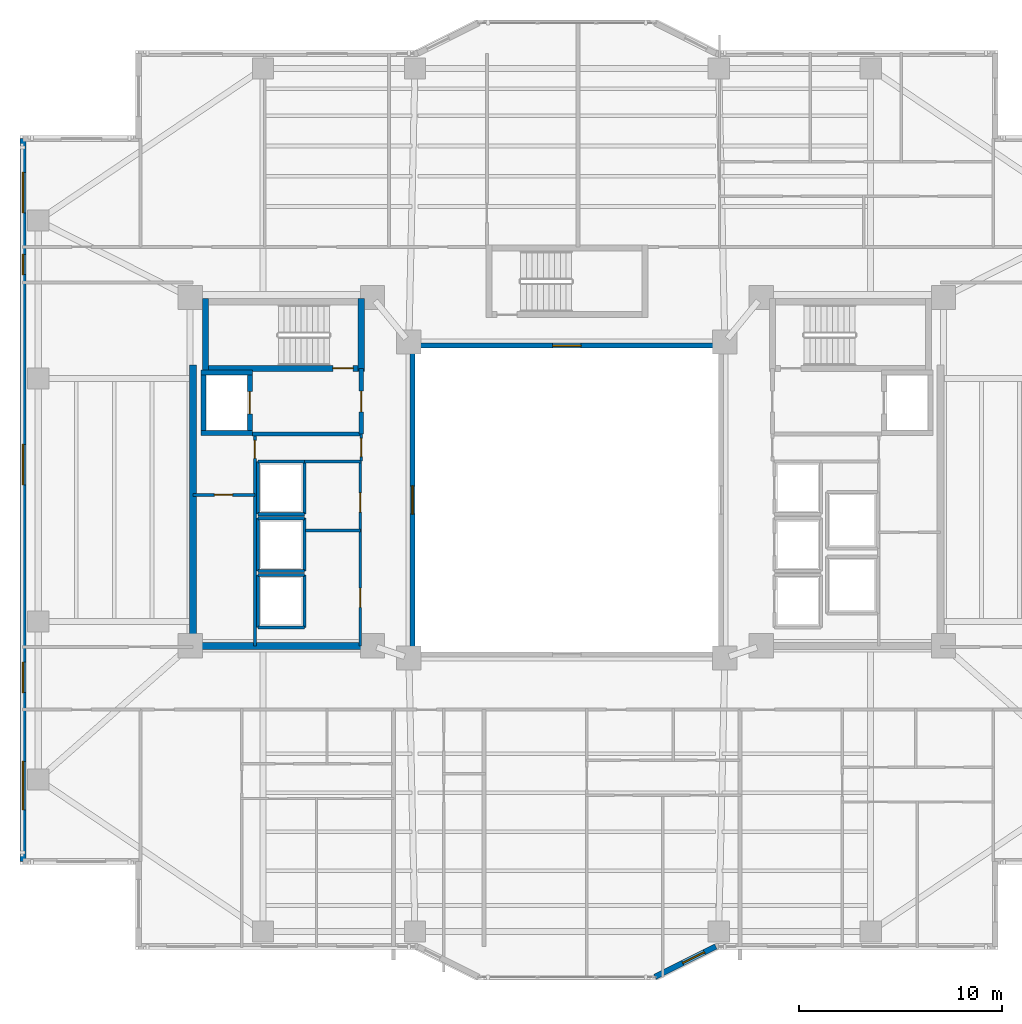
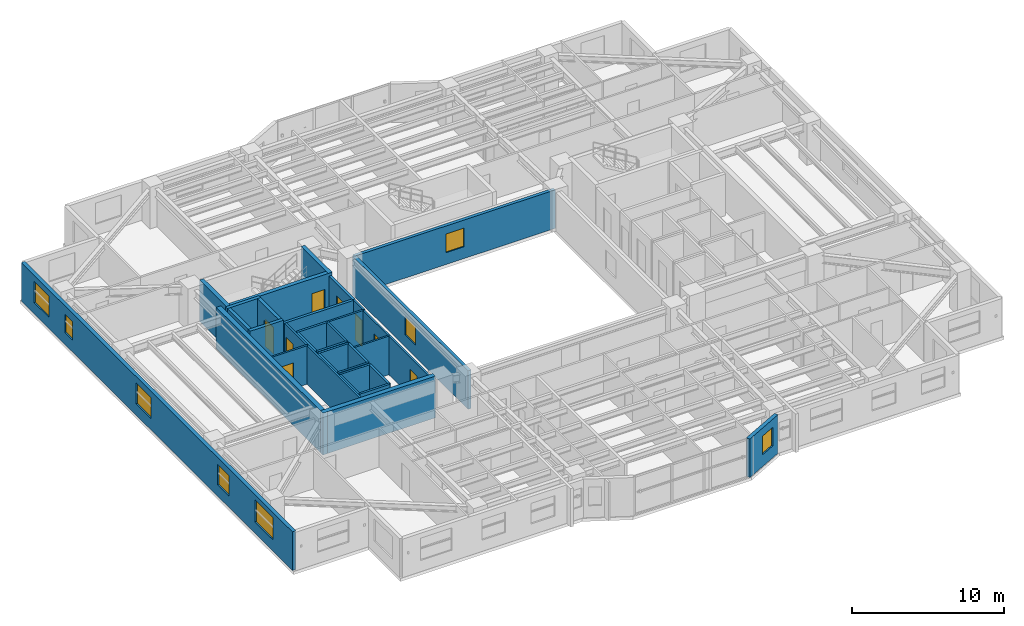
# One storey, part 7 of 18: 33 walls, 8 doors, 8 windows, 16 openings.
"""IFC4 building model written with IfcOpenShell, lengths in metres."""

from ifc_helpers import new_model, si_unit, direction, frame, frame_2d, origin, place, context, subcontext, project, spatial, rectangle, extrude, material, layer, layer_set, type_object, element, fill, save


model = new_model("IFC4")

# Units and contexts
model_context = context("Model", 3, precision=1e-05, world=origin(), true_north=direction((0.0, 1.0)))
body_context = subcontext(model_context, "Body", "Model", "MODEL_VIEW")
ifc_project = project(units=[si_unit("LENGTHUNIT", "METRE"), si_unit("AREAUNIT", "SQUARE_METRE"), si_unit("VOLUMEUNIT", "CUBIC_METRE"), si_unit("PLANEANGLEUNIT", "RADIAN"), si_unit("MASSUNIT", "GRAM", prefix="KILO")], contexts=[model_context])

# Site, building, storey
site_placement = place(None, origin())
site = spatial("IfcSite", under=ifc_project, at=site_placement, CompositionType="ELEMENT")
building_placement = place(site_placement, origin())
building = spatial("IfcBuilding", under=site, at=building_placement, Name="Tarnavaz Court Tower", CompositionType="ELEMENT")
storey_placement = place(building_placement, frame((0.0, 0.0, 85.0)))
storey = spatial("IfcBuildingStorey", under=building, at=storey_placement, Name="L22", CompositionType="ELEMENT", Elevation=85.0)

# Wall
ifc_material_1 = material(Name="Concrete C60/75", Category="concrete")
ifc_layer_1 = layer(ifc_material_1, 0.25)
ifc_layer_set_1 = layer_set([ifc_layer_1], Name="Concrete C60/75")
wall_type_1 = type_object("IfcWallType", Name="WL-CORE-250-C60", PredefinedType="SHEAR", material=ifc_layer_set_1)
wall_1_placement = place(storey_placement, frame((-17.949951171875, 3.175048828125, 0.0), z_axis=(0.0, 0.0, 1.0), x_axis=(0.0, 1.0, 0.0)))
element("IfcWall", 1, at=wall_1_placement, inside=storey, type_object=wall_type_1, Name="L22 Lift FL-W1 Shaft Wall 017", PredefinedType="SHEAR", context=body_context, shape_type="SweptSolid", body=[
    extrude(rectangle(XDim=3.25, YDim=0.25, at=frame_2d((1.625, 0.0))), origin(), (0.0, 0.0, 1.0), 3.35009765625),
])

# Wall, opening, door
wall_2_placement = place(storey_placement, frame((-15.64990234375, 3.175048828125, 0.0), z_axis=(0.0, 0.0, 1.0), x_axis=(0.0, 1.0, 0.0)))
wall_2 = element("IfcWall", 2, at=wall_2_placement, inside=storey, type_object=wall_type_1, Name="L22 Lift FL-W1 Shaft Wall 018", PredefinedType="SHEAR", context=body_context, shape_type="SweptSolid", body=[
    extrude(rectangle(XDim=3.25, YDim=0.25, at=frame_2d((1.625, 0.0))), origin(), (0.0, 0.0, 1.0), 3.35009765625),
])
opening_1_placement = place(wall_2_placement, frame((1.074951171875, 0.0, 0.0)))
opening_1 = element("IfcOpeningElement", 3, at=opening_1_placement, cuts=wall_2, Name="Opening LD1", PredefinedType="OPENING", context=body_context, shape_type="SweptSolid", body=[
    extrude(rectangle(XDim=1.10009765625, YDim=2.14990234375, at=frame_2d((0.550048828125, 1.074951171875))), frame((0.0, 0.135009765625, 0.0), z_axis=(0.0, -1.0, 0.0), x_axis=(1.0, 0.0, 0.0)), (0.0, 0.0, 1.0), 0.27001953125),
])
ifc_material_2 = material(Name="Stainless Steel", Category="steel")
door_type_1 = type_object("IfcDoorType", Name="DR-LD-1100", OperationType="NOTDEFINED", PredefinedType="DOOR", material=ifc_material_2)
door_1_placement = place(opening_1_placement, origin())
door_1 = element("IfcDoor", 4, at=door_1_placement, inside=storey, type_object=door_type_1, Name="L22 Lift Landing Door LD-FL-W1", OperationType="SLIDING_TO_LEFT", OverallHeight=2.14990234375, OverallWidth=1.10009765625, PredefinedType="DOOR", context=body_context, shape_type="SweptSolid", body=[
    extrude(rectangle(XDim=1.10009765625, YDim=2.14990234375, at=frame_2d((0.550048828125, 1.074951171875))), frame((0.0, 0.02490234375, 0.0), z_axis=(0.0, -1.0, 0.0), x_axis=(1.0, 0.0, 0.0)), (0.0, 0.0, 1.0), 0.050048828125),
])
fill(opening_1, door_1)

# Walls
for number, where, z_axis, x_axis, name in (
    (5, (-18.074951171875, 3.300048828125, 0.0), (0.0, 0.0, 1.0), (1.0, 0.0, 0.0), "L22 Lift FL-W1 Shaft Wall 019"),
    (6, (-18.074951171875, 6.300048828125, 0.0), (0.0, 0.0, 1.0), (1.0, 0.0, 0.0), "L22 Lift FL-W1 Shaft Wall 020"),
):
    element("IfcWall", number, at=place(storey_placement, frame(where, z_axis=z_axis, x_axis=x_axis)), inside=storey, type_object=wall_type_1, Name=name, PredefinedType="SHEAR", context=body_context, shape_type="SweptSolid", body=[
        extrude(rectangle(XDim=2.550048828125, YDim=0.25, at=frame_2d((1.27490234375, 0.0))), origin(), (0.0, 0.0, 1.0), 3.35009765625),
    ])

# Wall, opening, door
ifc_layer_2 = layer(ifc_material_1, 0.300048828125)
ifc_layer_set_2 = layer_set([ifc_layer_2], Name="Concrete C60/75")
wall_type_2 = type_object("IfcWallType", Name="WL-CORE-300-C60", PredefinedType="SHEAR", material=ifc_layer_set_2)
wall_3_placement = place(storey_placement, frame((-18.0, 6.5, 0.0), z_axis=(0.0, 0.0, 1.0), x_axis=(1.0, 0.0, 0.0)))
wall_3 = element("IfcWall", 7, at=wall_3_placement, inside=storey, type_object=wall_type_2, Name="L22 West Stair Core Wall 002", PredefinedType="SHEAR", context=body_context, shape_type="SweptSolid", body=[
    extrude(rectangle(XDim=8.0, YDim=0.300048828125, at=frame_2d((4.0, 0.0))), origin(), (0.0, 0.0, 1.0), 3.35009765625),
])
opening_2_placement = place(wall_3_placement, frame((6.449951171875, 0.0, 0.0)))
opening_2 = element("IfcOpeningElement", 8, at=opening_2_placement, cuts=wall_3, Name="Opening D01", PredefinedType="OPENING", context=body_context, shape_type="SweptSolid", body=[
    extrude(rectangle(XDim=1.0, YDim=2.14990234375, at=frame_2d((0.5, 1.074951171875))), frame((0.0, 0.159912109375, 0.0), z_axis=(0.0, -1.0, 0.0), x_axis=(1.0, 0.0, 0.0)), (0.0, 0.0, 1.0), 0.320068359375),
])
ifc_material_3 = material(Name="Fire-Rated Hardwood Timber Core", Category="wood")
door_type_2 = type_object("IfcDoorType", Name="DR-FD90-1000", OperationType="NOTDEFINED", PredefinedType="DOOR", material=ifc_material_3)
door_2_placement = place(opening_2_placement, origin())
door_2 = element("IfcDoor", 9, at=door_2_placement, inside=storey, type_object=door_type_2, Name="L22 Stair ST-W1 Exit Door", OperationType="SINGLE_SWING_LEFT", OverallHeight=2.14990234375, OverallWidth=1.0, PredefinedType="DOOR", context=body_context, shape_type="SweptSolid", body=[
    extrude(rectangle(XDim=1.0, YDim=2.14990234375, at=frame_2d((0.5, 1.074951171875))), frame((0.0, 0.02490234375, 0.0), z_axis=(0.0, -1.0, 0.0), x_axis=(1.0, 0.0, 0.0)), (0.0, 0.0, 1.0), 0.050048828125),
])
fill(opening_2, door_2)

# Walls
for number, where, z_axis, x_axis, name in (
    (10, (-17.85009765625, 6.35009765625, 0.0), (0.0, 0.0, 1.0), (0.0, 1.0, 0.0), "L22 West Stair Core Wall 003"),
    (11, (-10.14990234375, 6.35009765625, 0.0), (0.0, 0.0, 1.0), (0.0, 1.0, 0.0), "L22 West Stair Core Wall 004"),
):
    element("IfcWall", number, at=place(storey_placement, frame(where, z_axis=z_axis, x_axis=x_axis)), inside=storey, type_object=wall_type_2, Name=name, PredefinedType="SHEAR", context=body_context, shape_type="SweptSolid", body=[
        extrude(rectangle(XDim=3.58984375, YDim=0.300048828125, at=frame_2d((1.794921875, 0.0))), origin(), (0.0, 0.0, 1.0), 3.35009765625),
    ])
ifc_layer_3 = layer(ifc_material_1, 0.35009765625)
ifc_layer_set_3 = layer_set([ifc_layer_3], Name="Concrete C60/75")
wall_type_3 = type_object("IfcWallType", Name="WL-CORE-350-C60", PredefinedType="SHEAR", material=ifc_layer_set_3)
wall_4_placement = place(storey_placement, frame((-18.449951171875, -7.375, 0.0), z_axis=(0.0, 0.0, 1.0), x_axis=(0.0, 1.0, 0.0)))
element("IfcWall", 12, at=wall_4_placement, inside=storey, type_object=wall_type_3, Name="L22 West Core Shear Wall 057", PredefinedType="SHEAR", context=body_context, shape_type="SweptSolid", body=[
    extrude(rectangle(XDim=14.050048828125, YDim=0.35009765625, at=frame_2d((7.02490234375, 0.0))), origin(), (0.0, 0.0, 1.0), 3.35009765625),
])
wall_5_placement = place(storey_placement, frame((-18.625, -7.199951171875, 0.0), z_axis=(0.0, 0.0, 1.0), x_axis=(1.0, 0.0, 0.0)))
element("IfcWall", 13, at=wall_5_placement, inside=storey, type_object=wall_type_3, Name="L22 West Core South Shear Wall 058", PredefinedType="SHEAR", context=body_context, shape_type="SweptSolid", body=[
    extrude(rectangle(XDim=8.550048828125, YDim=0.35009765625, at=frame_2d((4.27490234375, 0.0))), origin(), (0.0, 0.0, 1.0), 3.35009765625),
])

# Wall, openings, windows
ifc_material_4 = material(Name="Precast Concrete C40/50", Category="concrete")
ifc_layer_4 = layer(ifc_material_4, 0.280029296875)
ifc_layer_set_4 = layer_set([ifc_layer_4], Name="Precast Concrete C40/50")
wall_type_4 = type_object("IfcWallType", Name="WL-EXT-280", PredefinedType="SOLIDWALL", material=ifc_layer_set_4)
wall_6_placement = place(storey_placement, frame((-26.85009765625, -17.85009765625, 0.0), z_axis=(0.0, 0.0, 1.0), x_axis=(0.0, 1.0, 0.0)))
wall_6 = element("IfcWall", 14, at=wall_6_placement, inside=storey, type_object=wall_type_4, Name="L22 Exterior Terracotta Facade Wall 02", PredefinedType="SOLIDWALL", context=body_context, shape_type="SweptSolid", body=[
    extrude(rectangle(XDim=35.7001953125, YDim=0.280029296875, at=frame_2d((17.85009765625, 0.0))), origin(), (0.0, 0.0, 1.0), 3.10009765625),
])
opening_3_placement = place(wall_6_placement, frame((2.550048828125, 0.0, 0.89990234375)))
opening_3 = element("IfcOpeningElement", 15, at=opening_3_placement, cuts=wall_6, Name="Opening W06", PredefinedType="OPENING", context=body_context, shape_type="SweptSolid", body=[
    extrude(rectangle(XDim=2.39990234375, YDim=1.800048828125, at=frame_2d((1.199951171875, 0.89990234375))), frame((0.0, 0.14990234375, 0.0), z_axis=(0.0, -1.0, 0.0), x_axis=(1.0, 0.0, 0.0)), (0.0, 0.0, 1.0), 0.300048828125),
])
opening_4_placement = place(wall_6_placement, frame((8.342529296875, 0.0, 0.89990234375)))
opening_4 = element("IfcOpeningElement", 16, at=opening_4_placement, cuts=wall_6, Name="Opening W03", PredefinedType="OPENING", context=body_context, shape_type="SweptSolid", body=[
    extrude(rectangle(XDim=1.5, YDim=1.64990234375, at=frame_2d((0.75, 0.824951171875))), frame((0.0, 0.14990234375, 0.0), z_axis=(0.0, -1.0, 0.0), x_axis=(1.0, 0.0, 0.0)), (0.0, 0.0, 1.0), 0.300048828125),
])
opening_5_placement = place(wall_6_placement, frame((18.60009765625, 0.0, 0.89990234375)))
opening_5 = element("IfcOpeningElement", 17, at=opening_5_placement, cuts=wall_6, Name="Opening W08", PredefinedType="OPENING", context=body_context, shape_type="SweptSolid", body=[
    extrude(rectangle(XDim=2.0, YDim=1.699951171875, at=frame_2d((1.0, 0.85009765625))), frame((0.0, 0.14990234375, 0.0), z_axis=(0.0, -1.0, 0.0), x_axis=(1.0, 0.0, 0.0)), (0.0, 0.0, 1.0), 0.300048828125),
])
opening_6_placement = place(wall_6_placement, frame((28.97509765625, 0.0, 0.949951171875)))
opening_6 = element("IfcOpeningElement", 18, at=opening_6_placement, cuts=wall_6, Name="Opening W14", PredefinedType="OPENING", context=body_context, shape_type="SweptSolid", body=[
    extrude(rectangle(XDim=1.0, YDim=1.5, at=frame_2d((0.5, 0.75))), frame((0.0, 0.14990234375, 0.0), z_axis=(0.0, -1.0, 0.0), x_axis=(1.0, 0.0, 0.0)), (0.0, 0.0, 1.0), 0.300048828125),
])
opening_7_placement = place(wall_6_placement, frame((32.02490234375, 0.0, 0.89990234375)))
opening_7 = element("IfcOpeningElement", 19, at=opening_7_placement, cuts=wall_6, Name="Opening W08", PredefinedType="OPENING", context=body_context, shape_type="SweptSolid", body=[
    extrude(rectangle(XDim=2.0, YDim=1.699951171875, at=frame_2d((1.0, 0.85009765625))), frame((0.0, 0.14990234375, 0.0), z_axis=(0.0, -1.0, 0.0), x_axis=(1.0, 0.0, 0.0)), (0.0, 0.0, 1.0), 0.300048828125),
])
ifc_material_5 = material(Name="Double-Glazed Solar Low-E Glass", Category="glass")
window_type_1 = type_object("IfcWindowType", Name="WN-APT-1000", PartitioningType="SINGLE_PANEL", PredefinedType="WINDOW", material=ifc_material_5)
window_1_placement = place(opening_6_placement, origin())
window_1 = element("IfcWindow", 20, at=window_1_placement, inside=storey, type_object=window_type_1, Name="L22 North-West Corner Corridor Window", OverallHeight=1.5, OverallWidth=1.0, PartitioningType="SINGLE_PANEL", PredefinedType="WINDOW", context=body_context, shape_type="SweptSolid", body=[
    extrude(rectangle(XDim=1.0, YDim=1.5, at=frame_2d((0.5, 0.75))), frame((0.0, 0.030029296875, 0.0), z_axis=(0.0, -1.0, 0.0), x_axis=(1.0, 0.0, 0.0)), (0.0, 0.0, 1.0), 0.06005859375),
])
fill(opening_6, window_1)
window_type_2 = type_object("IfcWindowType", Name="WN-APT-1500", PartitioningType="DOUBLE_PANEL_VERTICAL", PredefinedType="WINDOW", material=ifc_material_5)
window_2_placement = place(opening_4_placement, origin())
window_2 = element("IfcWindow", 21, at=window_2_placement, inside=storey, type_object=window_type_2, Name="L22 South-West Corner Corridor Window", OverallHeight=1.64990234375, OverallWidth=1.5, PartitioningType="SINGLE_PANEL", PredefinedType="WINDOW", context=body_context, shape_type="SweptSolid", body=[
    extrude(rectangle(XDim=1.5, YDim=1.64990234375, at=frame_2d((0.75, 0.824951171875))), frame((0.0, 0.030029296875, 0.0), z_axis=(0.0, -1.0, 0.0), x_axis=(1.0, 0.0, 0.0)), (0.0, 0.0, 1.0), 0.06005859375),
])
fill(opening_4, window_2)
window_type_3 = type_object("IfcWindowType", Name="WN-APT-2000", PartitioningType="DOUBLE_PANEL_VERTICAL", PredefinedType="WINDOW", material=ifc_material_5)
window_3_placement = place(opening_5_placement, origin())
window_3 = element("IfcWindow", 22, at=window_3_placement, inside=storey, type_object=window_type_3, Name="L22 West Wing Panoramic Study Gallery Window", OverallHeight=1.699951171875, OverallWidth=2.0, PartitioningType="SINGLE_PANEL", PredefinedType="WINDOW", context=body_context, shape_type="SweptSolid", body=[
    extrude(rectangle(XDim=2.0, YDim=1.699951171875, at=frame_2d((1.0, 0.85009765625))), frame((0.0, 0.030029296875, 0.0), z_axis=(0.0, -1.0, 0.0), x_axis=(1.0, 0.0, 0.0)), (0.0, 0.0, 1.0), 0.06005859375),
])
fill(opening_5, window_3)
window_4_placement = place(opening_7_placement, origin())
window_4 = element("IfcWindow", 23, at=window_4_placement, inside=storey, type_object=window_type_3, Name="L22 North-West Corner Sunroom Study Window", OverallHeight=1.699951171875, OverallWidth=2.0, PartitioningType="SINGLE_PANEL", PredefinedType="WINDOW", context=body_context, shape_type="SweptSolid", body=[
    extrude(rectangle(XDim=2.0, YDim=1.699951171875, at=frame_2d((1.0, 0.85009765625))), frame((0.0, 0.030029296875, 0.0), z_axis=(0.0, -1.0, 0.0), x_axis=(1.0, 0.0, 0.0)), (0.0, 0.0, 1.0), 0.06005859375),
])
fill(opening_7, window_4)
window_type_4 = type_object("IfcWindowType", Name="WN-APT-2400", PartitioningType="TRIPLE_PANEL_VERTICAL", PredefinedType="WINDOW", material=ifc_material_5)
window_5_placement = place(opening_3_placement, origin())
window_5 = element("IfcWindow", 24, at=window_5_placement, inside=storey, type_object=window_type_4, Name="L22 South-West Corner Reading Room Window", OverallHeight=1.800048828125, OverallWidth=2.39990234375, PartitioningType="SINGLE_PANEL", PredefinedType="WINDOW", context=body_context, shape_type="SweptSolid", body=[
    extrude(rectangle(XDim=2.39990234375, YDim=1.800048828125, at=frame_2d((1.199951171875, 0.89990234375))), frame((0.0, 0.030029296875, 0.0), z_axis=(0.0, -1.0, 0.0), x_axis=(1.0, 0.0, 0.0)), (0.0, 0.0, 1.0), 0.06005859375),
])
fill(opening_3, window_5)

# Wall, opening, window
wall_7_placement = place(storey_placement, frame((7.35009765625, -22.050048828125, 0.0), z_axis=(0.0, 0.0, 1.0), x_axis=(-0.894427191, -0.4472135955, 0.0)))
wall_7 = element("IfcWall", 25, at=wall_7_placement, inside=storey, type_object=wall_type_4, Name="L22 Exterior Terracotta Facade Wall 16", PredefinedType="SOLIDWALL", context=body_context, shape_type="SweptSolid", body=[
    extrude(rectangle(XDim=3.35400390625, YDim=0.280029296875, at=frame_2d((1.677001953125, 0.0))), origin(), (0.0, 0.0, 1.0), 3.10009765625),
])
opening_8_placement = place(wall_7_placement, frame((0.62158203125, 0.0, 0.949951171875)))
opening_8 = element("IfcOpeningElement", 26, at=opening_8_placement, cuts=wall_7, Name="Opening W05", PredefinedType="OPENING", context=body_context, shape_type="SweptSolid", body=[
    extrude(rectangle(XDim=1.199951171875, YDim=1.5, at=frame_2d((0.60009765625, 0.75))), frame((0.0, 0.14990234375, 0.0), z_axis=(0.0, -1.0, 0.0), x_axis=(1.0, 0.0, 0.0)), (0.0, 0.0, 1.0), 0.300048828125),
])
window_type_5 = type_object("IfcWindowType", Name="WN-APT-1200", PartitioningType="SINGLE_PANEL", PredefinedType="WINDOW", material=ifc_material_5)
window_6_placement = place(opening_8_placement, origin())
window_6 = element("IfcWindow", 27, at=window_6_placement, inside=storey, type_object=window_type_5, Name="L22 Flat 05 Bedroom 2 Window", OverallHeight=1.5, OverallWidth=1.199951171875, PartitioningType="SINGLE_PANEL", PredefinedType="WINDOW", context=body_context, shape_type="SweptSolid", body=[
    extrude(rectangle(XDim=1.199951171875, YDim=1.5, at=frame_2d((0.60009765625, 0.75))), frame((0.0, 0.030029296875, 0.0), z_axis=(0.0, -1.0, 0.0), x_axis=(1.0, 0.0, 0.0)), (0.0, 0.0, 1.0), 0.06005859375),
])
fill(opening_8, window_6)

# Wall
ifc_material_6 = material(Name="Autoclaved Aerated Concrete Blockwork", Category="masonry")
ifc_layer_5 = layer(ifc_material_6, 0.199951171875)
ifc_layer_set_5 = layer_set([ifc_layer_5], Name="Autoclaved Aerated Concrete Blockwork")
wall_type_5 = type_object("IfcWallType", Name="WL-FIRE-200", PredefinedType="SOLIDWALL", material=ifc_layer_set_5)
wall_8_placement = place(storey_placement, frame((-15.550048828125, 3.25, 0.0), z_axis=(0.0, 0.0, 1.0), x_axis=(1.0, 0.0, 0.0)))
element("IfcWall", 28, at=wall_8_placement, inside=storey, type_object=wall_type_5, Name="L22 West Firefighting Lobby Wall 013", PredefinedType="SOLIDWALL", context=body_context, shape_type="SweptSolid", body=[
    extrude(rectangle(XDim=5.400146484375, YDim=0.199951171875, at=frame_2d((2.7001953125, 0.0))), origin(), (0.0, 0.0, 1.0), 3.10009765625),
])

# Wall, opening, door
wall_9_placement = place(storey_placement, frame((-10.14990234375, 3.25, 0.0), z_axis=(0.0, 0.0, 1.0), x_axis=(0.0, 1.0, 0.0)))
wall_9 = element("IfcWall", 29, at=wall_9_placement, inside=storey, type_object=wall_type_5, Name="L22 West Firefighting Lobby Wall 014", PredefinedType="SOLIDWALL", context=body_context, shape_type="SweptSolid", body=[
    extrude(rectangle(XDim=3.25, YDim=0.199951171875, at=frame_2d((1.625, 0.0))), origin(), (0.0, 0.0, 1.0), 3.10009765625),
])
opening_9_placement = place(wall_9_placement, frame((1.10009765625, 0.0, 0.0)))
opening_9 = element("IfcOpeningElement", 30, at=opening_9_placement, cuts=wall_9, Name="Opening D05", PredefinedType="OPENING", context=body_context, shape_type="SweptSolid", body=[
    extrude(rectangle(XDim=1.02001953125, YDim=2.14990234375, at=frame_2d((0.510009765625, 1.074951171875))), frame((0.0, 0.10986328125, 0.0), z_axis=(0.0, -1.0, 0.0), x_axis=(1.0, 0.0, 0.0)), (0.0, 0.0, 1.0), 0.219970703125),
])
door_type_3 = type_object("IfcDoorType", Name="DR-FD60-1000", OperationType="NOTDEFINED", PredefinedType="DOOR", material=ifc_material_3)
door_3_placement = place(opening_9_placement, origin())
door_3 = element("IfcDoor", 31, at=door_3_placement, inside=storey, type_object=door_type_3, Name="L22 West Firefighting Lobby Door", OperationType="SINGLE_SWING_RIGHT", OverallHeight=2.14990234375, OverallWidth=1.02001953125, PredefinedType="DOOR", context=body_context, shape_type="SweptSolid", body=[
    extrude(rectangle(XDim=1.02001953125, YDim=2.14990234375, at=frame_2d((0.510009765625, 1.074951171875))), frame((0.0, 0.02490234375, 0.0), z_axis=(0.0, -1.0, 0.0), x_axis=(1.0, 0.0, 0.0)), (0.0, 0.0, 1.0), 0.050048828125),
])
fill(opening_9, door_3)

# Wall
ifc_material_7 = material(Name="Gypsum Plasterboard Acoustic Partition", Category="masonry")
ifc_layer_6 = layer(ifc_material_7, 0.139892578125)
ifc_layer_set_6 = layer_set([ifc_layer_6], Name="Gypsum Plasterboard Acoustic Partition")
wall_type_6 = type_object("IfcWallType", Name="WL-PART-150", PredefinedType="PARTITIONING", material=ifc_layer_set_6)
wall_10_placement = place(storey_placement, frame((-12.949951171875, 1.89990234375, 0.0), z_axis=(0.0, 0.0, 1.0), x_axis=(1.0, 0.0, 0.0)))
element("IfcWall", 32, at=wall_10_placement, inside=storey, type_object=wall_type_6, Name="L22 Interior Partition 061", PredefinedType="PARTITIONING", context=body_context, shape_type="SweptSolid", body=[
    extrude(rectangle(XDim=2.800048828125, YDim=0.139892578125, at=frame_2d((1.39990234375, 0.0))), origin(), (0.0, 0.0, 1.0), 3.10009765625),
])

# Wall, opening, door
wall_11_placement = place(storey_placement, frame((-10.14990234375, 1.919921875, 0.0), z_axis=(0.0, 0.0, 1.0), x_axis=(0.0, 1.0, 0.0)))
wall_11 = element("IfcWall", 33, at=wall_11_placement, inside=storey, type_object=wall_type_6, Name="L22 Interior Partition 062", PredefinedType="PARTITIONING", context=body_context, shape_type="SweptSolid", body=[
    extrude(rectangle(XDim=1.330078125, YDim=0.139892578125, at=frame_2d((0.6650390625, 0.0))), origin(), (0.0, 0.0, 1.0), 3.10009765625),
])
opening_10_placement = place(wall_11_placement, frame((0.219970703125, 0.0, 0.0)))
opening_10 = element("IfcOpeningElement", 34, at=opening_10_placement, cuts=wall_11, Name="Opening D09", PredefinedType="OPENING", context=body_context, shape_type="SweptSolid", body=[
    extrude(rectangle(XDim=0.89990234375, YDim=2.080078125, at=frame_2d((0.449951171875, 1.0400390625))), frame((0.0, 0.079833984375, 0.0), z_axis=(0.0, -1.0, 0.0), x_axis=(1.0, 0.0, 0.0)), (0.0, 0.0, 1.0), 0.159912109375),
])
door_type_4 = type_object("IfcDoorType", Name="DR-FD30-900", OperationType="NOTDEFINED", PredefinedType="DOOR", material=ifc_material_3)
door_4_placement = place(opening_10_placement, origin())
door_4 = element("IfcDoor", 35, at=door_4_placement, inside=storey, type_object=door_type_4, Name="L22 West Core Service Lobby Door", OperationType="SINGLE_SWING_LEFT", OverallHeight=2.080078125, OverallWidth=0.89990234375, PredefinedType="DOOR", context=body_context, shape_type="SweptSolid", body=[
    extrude(rectangle(XDim=0.89990234375, YDim=2.080078125, at=frame_2d((0.449951171875, 1.0400390625))), frame((0.0, 0.02490234375, 0.0), z_axis=(0.0, -1.0, 0.0), x_axis=(1.0, 0.0, 0.0)), (0.0, 0.0, 1.0), 0.050048828125),
])
fill(opening_10, door_4)

wall_12_placement = place(storey_placement, frame((-15.39990234375, -7.199951171875, 0.0), z_axis=(0.0, 0.0, 1.0), x_axis=(0.0, 1.0, 0.0)))
wall_12 = element("IfcWall", 36, at=wall_12_placement, inside=storey, type_object=wall_type_6, Name="L22 Interior Partition 063", PredefinedType="PARTITIONING", context=body_context, shape_type="SweptSolid", body=[
    extrude(rectangle(XDim=10.449951171875, YDim=0.139892578125, at=frame_2d((5.22509765625, 0.0))), origin(), (0.0, 0.0, 1.0), 3.10009765625),
])
opening_11_placement = place(wall_12_placement, frame((9.25, 0.0, 0.0)))
opening_11 = element("IfcOpeningElement", 37, at=opening_11_placement, cuts=wall_12, Name="Opening D09", PredefinedType="OPENING", context=body_context, shape_type="SweptSolid", body=[
    extrude(rectangle(XDim=0.89990234375, YDim=2.080078125, at=frame_2d((0.449951171875, 1.0400390625))), frame((0.0, 0.079833984375, 0.0), z_axis=(0.0, -1.0, 0.0), x_axis=(1.0, 0.0, 0.0)), (0.0, 0.0, 1.0), 0.159912109375),
])
door_5_placement = place(opening_11_placement, origin())
door_5 = element("IfcDoor", 38, at=door_5_placement, inside=storey, type_object=door_type_4, Name="L22 West Data Room Door", OperationType="SINGLE_SWING_RIGHT", OverallHeight=2.080078125, OverallWidth=0.89990234375, PredefinedType="DOOR", context=body_context, shape_type="SweptSolid", body=[
    extrude(rectangle(XDim=0.89990234375, YDim=2.080078125, at=frame_2d((0.449951171875, 1.0400390625))), frame((0.0, 0.02490234375, 0.0), z_axis=(0.0, -1.0, 0.0), x_axis=(1.0, 0.0, 0.0)), (0.0, 0.0, 1.0), 0.050048828125),
])
fill(opening_11, door_5)

wall_13_placement = place(storey_placement, frame((-18.449951171875, 0.25, 0.0), z_axis=(0.0, 0.0, 1.0), x_axis=(1.0, 0.0, 0.0)))
wall_13 = element("IfcWall", 39, at=wall_13_placement, inside=storey, type_object=wall_type_6, Name="L22 Interior Partition 064", PredefinedType="PARTITIONING", context=body_context, shape_type="SweptSolid", body=[
    extrude(rectangle(XDim=3.050048828125, YDim=0.139892578125, at=frame_2d((1.52490234375, 0.0))), origin(), (0.0, 0.0, 1.0), 3.10009765625),
])
opening_12_placement = place(wall_13_placement, frame((1.050048828125, 0.0, 0.0)))
opening_12 = element("IfcOpeningElement", 40, at=opening_12_placement, cuts=wall_13, Name="Opening D09", PredefinedType="OPENING", context=body_context, shape_type="SweptSolid", body=[
    extrude(rectangle(XDim=0.89990234375, YDim=2.080078125, at=frame_2d((0.449951171875, 1.0400390625))), frame((0.0, 0.079833984375, 0.0), z_axis=(0.0, -1.0, 0.0), x_axis=(1.0, 0.0, 0.0)), (0.0, 0.0, 1.0), 0.159912109375),
])
door_6_placement = place(opening_12_placement, origin())
door_6 = element("IfcDoor", 41, at=door_6_placement, inside=storey, type_object=door_type_4, Name="L22 West Mechanical Riser Door", OperationType="SINGLE_SWING_LEFT", OverallHeight=2.080078125, OverallWidth=0.89990234375, PredefinedType="DOOR", context=body_context, shape_type="SweptSolid", body=[
    extrude(rectangle(XDim=0.89990234375, YDim=2.080078125, at=frame_2d((0.449951171875, 1.0400390625))), frame((0.0, 0.02490234375, 0.0), z_axis=(0.0, -1.0, 0.0), x_axis=(1.0, 0.0, 0.0)), (0.0, 0.0, 1.0), 0.050048828125),
])
fill(opening_12, door_6)

# Wall, openings, doors
wall_14_placement = place(storey_placement, frame((-10.199951171875, -7.199951171875, 0.0), z_axis=(0.0, 0.0, 1.0), x_axis=(0.0, 1.0, 0.0)))
wall_14 = element("IfcWall", 42, at=wall_14_placement, inside=storey, type_object=wall_type_6, Name="L22 West Reclaimed Core Wall 065", PredefinedType="PARTITIONING", context=body_context, shape_type="SweptSolid", body=[
    extrude(rectangle(XDim=9.119873046875, YDim=0.139892578125, at=frame_2d((4.56005859375, 0.0))), origin(), (0.0, 0.0, 1.0), 3.10009765625),
])
opening_13_placement = place(wall_14_placement, frame((1.89990234375, 0.0, 0.0)))
opening_13 = element("IfcOpeningElement", 43, at=opening_13_placement, cuts=wall_14, Name="Opening D08", PredefinedType="OPENING", context=body_context, shape_type="SweptSolid", body=[
    extrude(rectangle(XDim=0.949951171875, YDim=2.1201171875, at=frame_2d((0.47509765625, 1.06005859375))), frame((0.0, 0.079833984375, 0.0), z_axis=(0.0, -1.0, 0.0), x_axis=(1.0, 0.0, 0.0)), (0.0, 0.0, 1.0), 0.159912109375),
])
opening_14_placement = place(wall_14_placement, frame((6.60009765625, 0.0, 0.0)))
opening_14 = element("IfcOpeningElement", 44, at=opening_14_placement, cuts=wall_14, Name="Opening D08", PredefinedType="OPENING", context=body_context, shape_type="SweptSolid", body=[
    extrude(rectangle(XDim=0.949951171875, YDim=2.1201171875, at=frame_2d((0.47509765625, 1.06005859375))), frame((0.0, 0.079833984375, 0.0), z_axis=(0.0, -1.0, 0.0), x_axis=(1.0, 0.0, 0.0)), (0.0, 0.0, 1.0), 0.159912109375),
])
door_type_5 = type_object("IfcDoorType", Name="DR-FD30-950", OperationType="NOTDEFINED", PredefinedType="DOOR", material=ifc_material_3)
door_7_placement = place(opening_13_placement, origin())
door_7 = element("IfcDoor", 45, at=door_7_placement, inside=storey, type_object=door_type_5, Name="L22 West Study Room Door", OperationType="SINGLE_SWING_RIGHT", OverallHeight=2.1201171875, OverallWidth=0.949951171875, PredefinedType="DOOR", context=body_context, shape_type="SweptSolid", body=[
    extrude(rectangle(XDim=0.949951171875, YDim=2.1201171875, at=frame_2d((0.47509765625, 1.06005859375))), frame((0.0, 0.02490234375, 0.0), z_axis=(0.0, -1.0, 0.0), x_axis=(1.0, 0.0, 0.0)), (0.0, 0.0, 1.0), 0.050048828125),
])
fill(opening_13, door_7)
door_8_placement = place(opening_14_placement, origin())
door_8 = element("IfcDoor", 46, at=door_8_placement, inside=storey, type_object=door_type_5, Name="L22 West Laundry Room Door", OperationType="SINGLE_SWING_LEFT", OverallHeight=2.1201171875, OverallWidth=0.949951171875, PredefinedType="DOOR", context=body_context, shape_type="SweptSolid", body=[
    extrude(rectangle(XDim=0.949951171875, YDim=2.1201171875, at=frame_2d((0.47509765625, 1.06005859375))), frame((0.0, 0.02490234375, 0.0), z_axis=(0.0, -1.0, 0.0), x_axis=(1.0, 0.0, 0.0)), (0.0, 0.0, 1.0), 0.050048828125),
])
fill(opening_14, door_8)

# Walls
wall_15_placement = place(storey_placement, frame((-12.89990234375, -1.5, 0.0), z_axis=(0.0, 0.0, 1.0), x_axis=(1.0, 0.0, 0.0)))
element("IfcWall", 47, at=wall_15_placement, inside=storey, type_object=wall_type_6, Name="L22 Interior Partition 066", PredefinedType="PARTITIONING", context=body_context, shape_type="SweptSolid", body=[
    extrude(rectangle(XDim=2.699951171875, YDim=0.139892578125, at=frame_2d((1.35009765625, 0.0))), origin(), (0.0, 0.0, 1.0), 3.10009765625),
])
ifc_layer_7 = layer(ifc_material_6, 0.159912109375)
ifc_layer_set_7 = layer_set([ifc_layer_7], Name="Autoclaved Aerated Concrete Blockwork")
wall_type_7 = type_object("IfcWallType", Name="WL-SHAFT-150", PredefinedType="SOLIDWALL", material=ifc_layer_set_7)
for number, where, z_axis, x_axis, name in (
    (48, (-15.25, -6.300048828125, 0.0), (0.0, 0.0, 1.0), (0.0, 1.0, 0.0), "L22 Lift PL-H1 Shaft Wall 021"),
    (49, (-12.949951171875, -6.300048828125, 0.0), (0.0, 0.0, 1.0), (0.0, 1.0, 0.0), "L22 Lift PL-H1 Shaft Wall 022"),
):
    element("IfcWall", number, at=place(storey_placement, frame(where, z_axis=z_axis, x_axis=x_axis)), inside=storey, type_object=wall_type_7, Name=name, PredefinedType="SOLIDWALL", context=body_context, shape_type="SweptSolid", body=[
        extrude(rectangle(XDim=2.60009765625, YDim=0.159912109375, at=frame_2d((1.300048828125, 0.0))), origin(), (0.0, 0.0, 1.0), 3.10009765625),
    ])
for number, where, z_axis, x_axis, name in (
    (50, (-15.25, -6.300048828125, 0.0), (0.0, 0.0, 1.0), (1.0, 0.0, 0.0), "L22 Lift PL-H1 Shaft Wall 023"),
    (51, (-15.25, -3.699951171875, 0.0), (0.0, 0.0, 1.0), (1.0, 0.0, 0.0), "L22 Lift PL-H1 Shaft Wall 024"),
):
    element("IfcWall", number, at=place(storey_placement, frame(where, z_axis=z_axis, x_axis=x_axis)), inside=storey, type_object=wall_type_7, Name=name, PredefinedType="SOLIDWALL", context=body_context, shape_type="SweptSolid", body=[
        extrude(rectangle(XDim=2.300048828125, YDim=0.159912109375, at=frame_2d((1.14990234375, 0.0))), origin(), (0.0, 0.0, 1.0), 3.10009765625),
    ])
for number, where, z_axis, x_axis, name in (
    (52, (-15.25, -3.5, 0.0), (0.0, 0.0, 1.0), (0.0, 1.0, 0.0), "L22 Lift PL-H2 Shaft Wall 025"),
    (53, (-12.949951171875, -3.5, 0.0), (0.0, 0.0, 1.0), (0.0, 1.0, 0.0), "L22 Lift PL-H2 Shaft Wall 026"),
):
    element("IfcWall", number, at=place(storey_placement, frame(where, z_axis=z_axis, x_axis=x_axis)), inside=storey, type_object=wall_type_7, Name=name, PredefinedType="SOLIDWALL", context=body_context, shape_type="SweptSolid", body=[
        extrude(rectangle(XDim=2.60009765625, YDim=0.159912109375, at=frame_2d((1.300048828125, 0.0))), origin(), (0.0, 0.0, 1.0), 3.10009765625),
    ])
for number, where, z_axis, x_axis, name in (
    (54, (-15.25, -3.5, 0.0), (0.0, 0.0, 1.0), (1.0, 0.0, 0.0), "L22 Lift PL-H2 Shaft Wall 027"),
    (55, (-15.25, -0.89990234375, 0.0), (0.0, 0.0, 1.0), (1.0, 0.0, 0.0), "L22 Lift PL-H2 Shaft Wall 028"),
):
    element("IfcWall", number, at=place(storey_placement, frame(where, z_axis=z_axis, x_axis=x_axis)), inside=storey, type_object=wall_type_7, Name=name, PredefinedType="SOLIDWALL", context=body_context, shape_type="SweptSolid", body=[
        extrude(rectangle(XDim=2.300048828125, YDim=0.159912109375, at=frame_2d((1.14990234375, 0.0))), origin(), (0.0, 0.0, 1.0), 3.10009765625),
    ])
for number, where, z_axis, x_axis, name in (
    (56, (-15.25, -0.699951171875, 0.0), (0.0, 0.0, 1.0), (0.0, 1.0, 0.0), "L22 Lift PL-H3 Shaft Wall 029"),
    (57, (-12.949951171875, -0.699951171875, 0.0), (0.0, 0.0, 1.0), (0.0, 1.0, 0.0), "L22 Lift PL-H3 Shaft Wall 030"),
):
    element("IfcWall", number, at=place(storey_placement, frame(where, z_axis=z_axis, x_axis=x_axis)), inside=storey, type_object=wall_type_7, Name=name, PredefinedType="SOLIDWALL", context=body_context, shape_type="SweptSolid", body=[
        extrude(rectangle(XDim=2.599853515625, YDim=0.159912109375, at=frame_2d((1.2998046875, 0.0))), origin(), (0.0, 0.0, 1.0), 3.10009765625),
    ])
for number, where, z_axis, x_axis, name in (
    (58, (-15.25, -0.699951171875, 0.0), (0.0, 0.0, 1.0), (1.0, 0.0, 0.0), "L22 Lift PL-H3 Shaft Wall 031"),
    (59, (-15.25, 1.89990234375, 0.0), (0.0, 0.0, 1.0), (1.0, 0.0, 0.0), "L22 Lift PL-H3 Shaft Wall 032"),
):
    element("IfcWall", number, at=place(storey_placement, frame(where, z_axis=z_axis, x_axis=x_axis)), inside=storey, type_object=wall_type_7, Name=name, PredefinedType="SOLIDWALL", context=body_context, shape_type="SweptSolid", body=[
        extrude(rectangle(XDim=2.300048828125, YDim=0.159912109375, at=frame_2d((1.14990234375, 0.0))), origin(), (0.0, 0.0, 1.0), 3.10009765625),
    ])

# Wall, opening, window
ifc_layer_8 = layer(ifc_material_4, 0.239990234375)
ifc_layer_set_8 = layer_set([ifc_layer_8], Name="Precast Concrete C40/50")
wall_type_8 = type_object("IfcWallType", Name="WL-WELL-240", PredefinedType="SOLIDWALL", material=ifc_layer_set_8)
wall_16_placement = place(storey_placement, frame((7.6201171875, 7.6201171875, 0.0), z_axis=(0.0, 0.0, 1.0), x_axis=(-1.0, 0.0, 0.0)))
wall_16 = element("IfcWall", 60, at=wall_16_placement, inside=storey, type_object=wall_type_8, Name="L22 Badgir Light-Well Exterior Wall N", PredefinedType="SOLIDWALL", context=body_context, shape_type="SweptSolid", body=[
    extrude(rectangle(XDim=15.240234375, YDim=0.239990234375, at=frame_2d((7.6201171875, 0.0))), origin(), (0.0, 0.0, 1.0), 3.10009765625),
])
opening_15_placement = place(wall_16_placement, frame((6.919921875, 0.0, 0.949951171875)))
opening_15 = element("IfcOpeningElement", 61, at=opening_15_placement, cuts=wall_16, Name="Opening W13", PredefinedType="OPENING", context=body_context, shape_type="SweptSolid", body=[
    extrude(rectangle(XDim=1.39990234375, YDim=1.5, at=frame_2d((0.699951171875, 0.75))), frame((0.0, 0.1298828125, 0.0), z_axis=(0.0, -1.0, 0.0), x_axis=(1.0, 0.0, 0.0)), (0.0, 0.0, 1.0), 0.260009765625),
])
window_type_6 = type_object("IfcWindowType", Name="WN-WEL-1400", PartitioningType="SINGLE_PANEL", PredefinedType="WINDOW", material=ifc_material_5)
window_7_placement = place(opening_15_placement, origin())
window_7 = element("IfcWindow", 62, at=window_7_placement, inside=storey, type_object=window_type_6, Name="L22 Courtyard Gallery Window N", OverallHeight=1.5, OverallWidth=1.39990234375, PartitioningType="SINGLE_PANEL", PredefinedType="WINDOW", context=body_context, shape_type="SweptSolid", body=[
    extrude(rectangle(XDim=1.39990234375, YDim=1.5, at=frame_2d((0.699951171875, 0.75))), frame((0.0, 0.030029296875, 0.0), z_axis=(0.0, -1.0, 0.0), x_axis=(1.0, 0.0, 0.0)), (0.0, 0.0, 1.0), 0.06005859375),
])
fill(opening_15, window_7)

wall_17_placement = place(storey_placement, frame((-7.6201171875, 7.6201171875, 0.0), z_axis=(0.0, 0.0, 1.0), x_axis=(0.0, -1.0, 0.0)))
wall_17 = element("IfcWall", 63, at=wall_17_placement, inside=storey, type_object=wall_type_8, Name="L22 Badgir Light-Well Exterior Wall W", PredefinedType="SOLIDWALL", context=body_context, shape_type="SweptSolid", body=[
    extrude(rectangle(XDim=15.240234375, YDim=0.239990234375, at=frame_2d((7.6201171875, 0.0))), origin(), (0.0, 0.0, 1.0), 3.10009765625),
])
opening_16_placement = place(wall_17_placement, frame((6.919921875, 0.0, 0.949951171875)))
opening_16 = element("IfcOpeningElement", 64, at=opening_16_placement, cuts=wall_17, Name="Opening W13", PredefinedType="OPENING", context=body_context, shape_type="SweptSolid", body=[
    extrude(rectangle(XDim=1.39990234375, YDim=1.5, at=frame_2d((0.699951171875, 0.75))), frame((0.0, 0.1298828125, 0.0), z_axis=(0.0, -1.0, 0.0), x_axis=(1.0, 0.0, 0.0)), (0.0, 0.0, 1.0), 0.260009765625),
])
window_8_placement = place(opening_16_placement, origin())
window_8 = element("IfcWindow", 65, at=window_8_placement, inside=storey, type_object=window_type_6, Name="L22 Courtyard Gallery Window W", OverallHeight=1.5, OverallWidth=1.39990234375, PartitioningType="SINGLE_PANEL", PredefinedType="WINDOW", context=body_context, shape_type="SweptSolid", body=[
    extrude(rectangle(XDim=1.39990234375, YDim=1.5, at=frame_2d((0.699951171875, 0.75))), frame((0.0, 0.030029296875, 0.0), z_axis=(0.0, -1.0, 0.0), x_axis=(1.0, 0.0, 0.0)), (0.0, 0.0, 1.0), 0.06005859375),
])
fill(opening_16, window_8)

save(model, "model.ifc")
